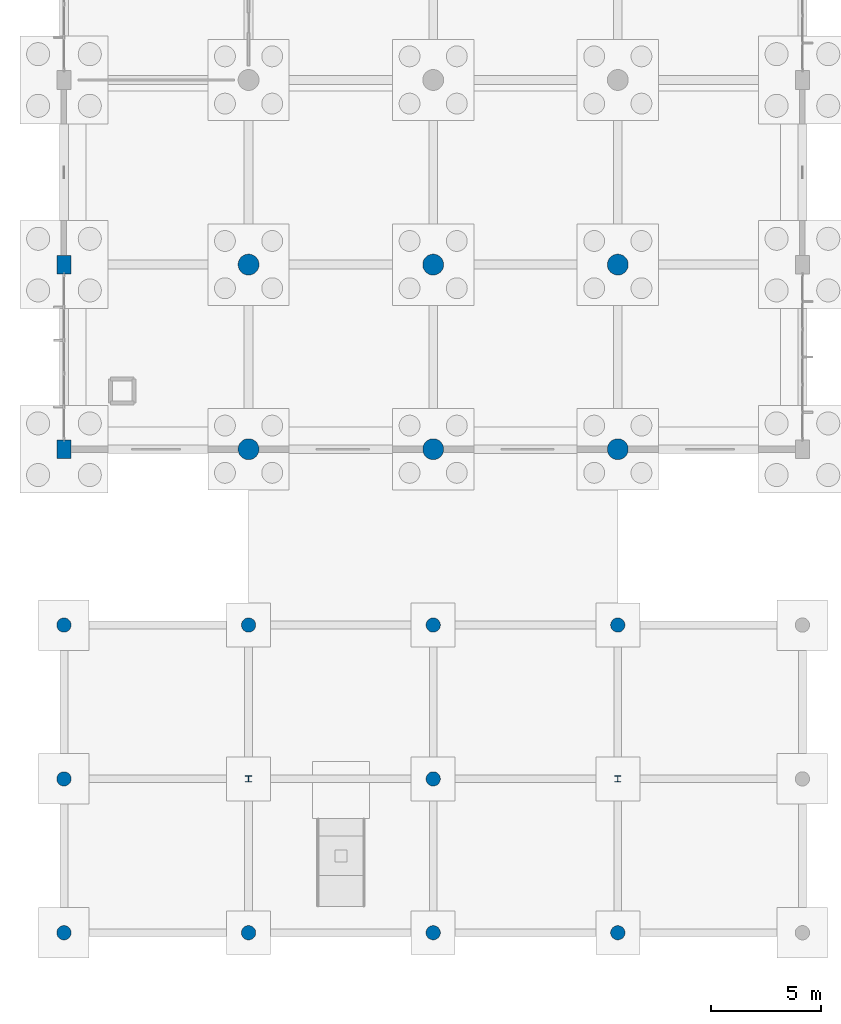
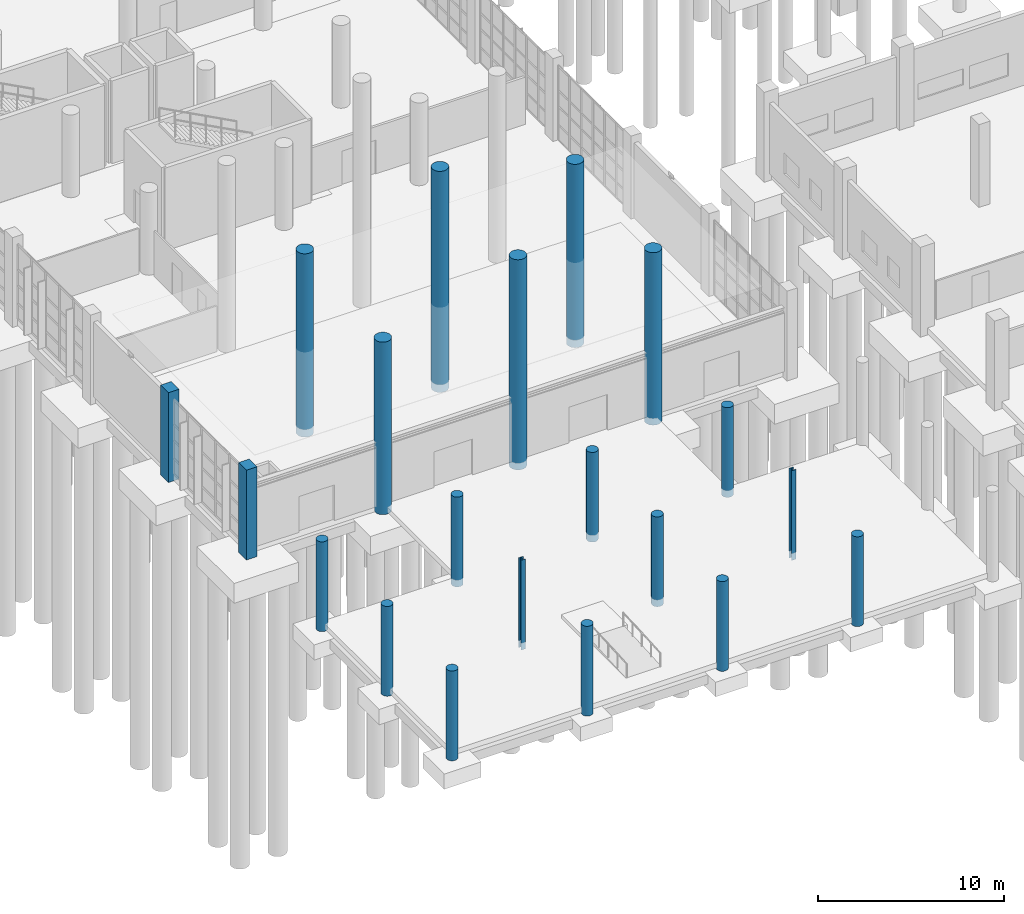
# One storey, part 11 of 83: 20 columns.
"""IFC4 building model written with IfcOpenShell, lengths in metres."""

from ifc_helpers import new_model, si_unit, direction, frame, origin, origin_2d, place, context, subcontext, project, spatial, rectangle, circle, i_section, extrude, material, material_profile, profile_set, type_object, element, save


model = new_model("IFC4")

# Units and contexts
model_context = context("Model", 3, precision=1e-05, world=origin(), true_north=direction((0.0, 1.0)))
body_context = subcontext(model_context, "Body", "Model", "MODEL_VIEW")
ifc_project = project(units=[si_unit("LENGTHUNIT", "METRE"), si_unit("AREAUNIT", "SQUARE_METRE"), si_unit("VOLUMEUNIT", "CUBIC_METRE"), si_unit("PLANEANGLEUNIT", "RADIAN"), si_unit("MASSUNIT", "GRAM", prefix="KILO"), si_unit("THERMODYNAMICTEMPERATUREUNIT", "KELVIN"), si_unit("POWERUNIT", "WATT")], contexts=[model_context])

# Site, building, storey
site_placement = place(None, origin())
site = spatial("IfcSite", under=ifc_project, at=site_placement, CompositionType="ELEMENT")
building_placement = place(site_placement, origin())
building = spatial("IfcBuilding", under=site, at=building_placement, Name="Mavoryth Pier Ferry Terminal", CompositionType="ELEMENT")
storey_placement = place(building_placement, origin())
storey = spatial("IfcBuildingStorey", under=building, at=storey_placement, Name="L00", CompositionType="ELEMENT", Elevation=0.0)

# Columns
ifc_material_1 = material(Name="Concrete C40/50", Category="concrete")
ifc_material_profile_1 = material_profile(ifc_material_1, circle(Radius=0.324951171875, at=origin_2d()), Name="RC D650", Category="concrete")
ifc_profile_set_1 = profile_set([ifc_material_profile_1], Name="Concrete C40/50 - RC D650")
column_type_1 = type_object("IfcColumnType", Name="Col-Pilotis-D650", PredefinedType="COLUMN", material=ifc_profile_set_1)
for number, where, z_axis, x_axis, name in (
    (1, (0.0, 0.0, -0.4599609375), (0.0, 0.0, 1.0), (1.0, 0.0, 0.0), "Column C00-CC01-002"),
    (2, (0.0, 7.0, -0.4599609375), (0.0, 0.0, 1.0), (1.0, 0.0, 0.0), "Column C00-CC01-003"),
    (3, (0.0, 14.0, -0.4599609375), (0.0, 0.0, 1.0), (1.0, 0.0, 0.0), "Column C00-CC01-004"),
    (4, (8.39990234375, 0.0, -0.4599609375), (0.0, 0.0, 1.0), (1.0, 0.0, 0.0), "Column C00-CC01-005"),
    (5, (8.39990234375, 14.0, -0.4599609375), (0.0, 0.0, 1.0), (1.0, 0.0, 0.0), "Column C00-CC01-007"),
    (6, (16.800048828125, 0.0, -0.4599609375), (0.0, 0.0, 1.0), (1.0, 0.0, 0.0), "Column C00-CC01-008"),
    (7, (16.800048828125, 7.0, -0.4599609375), (0.0, 0.0, 1.0), (1.0, 0.0, 0.0), "Column C00-CC01-009"),
    (8, (16.800048828125, 14.0, -0.4599609375), (0.0, 0.0, 1.0), (1.0, 0.0, 0.0), "Column C00-CC01-010"),
    (9, (25.199951171875, 0.0, -0.4599609375), (0.0, 0.0, 1.0), (1.0, 0.0, 0.0), "Column C00-CC01-011"),
    (10, (25.199951171875, 14.0, -0.4599609375), (0.0, 0.0, 1.0), (1.0, 0.0, 0.0), "Column C00-CC01-013"),
):
    element("IfcColumn", number, at=place(storey_placement, frame(where, z_axis=z_axis, x_axis=x_axis)), inside=storey, type_object=column_type_1, Name=name, PredefinedType="COLUMN", context=body_context, shape_type="SweptSolid", body=[
        extrude(circle(Radius=0.324951171875, at=origin_2d()), origin(), (0.0, 0.0, 1.0), 5.89990234375),
    ])
ifc_material_profile_2 = material_profile(ifc_material_1, circle(Radius=0.47509765625, at=origin_2d()), Name="RC D950", Category="concrete")
ifc_profile_set_2 = profile_set([ifc_material_profile_2], Name="Concrete C40/50 - RC D950")
column_type_2 = type_object("IfcColumnType", Name="Col-Pilotis-D950", PredefinedType="COLUMN", material=ifc_profile_set_2)
column_1_placement = place(storey_placement, frame((8.39990234375, 22.0, -0.4599609375), z_axis=(0.0, 0.0, 1.0), x_axis=(1.0, 0.0, 0.0)))
element("IfcColumn", 11, at=column_1_placement, inside=storey, type_object=column_type_2, Name="Column C00-CC05-045", PredefinedType="COLUMN", context=body_context, shape_type="SweptSolid", body=[
    extrude(circle(Radius=0.47509765625, at=origin_2d()), origin(), (0.0, 0.0, 1.0), 11.3388671875),
])
column_2_placement = place(storey_placement, frame((8.39990234375, 30.39990234375, -0.4599609375), z_axis=(0.0, 0.0, 1.0), x_axis=(1.0, 0.0, 0.0)))
element("IfcColumn", 12, at=column_2_placement, inside=storey, type_object=column_type_2, Name="Column C00-CC05-046", PredefinedType="COLUMN", context=body_context, shape_type="SweptSolid", body=[
    extrude(circle(Radius=0.47509765625, at=origin_2d()), origin(), (0.0, 0.0, 1.0), 12.05322265625),
])
column_3_placement = place(storey_placement, frame((16.800048828125, 22.0, -0.4599609375), z_axis=(0.0, 0.0, 1.0), x_axis=(1.0, 0.0, 0.0)))
element("IfcColumn", 13, at=column_3_placement, inside=storey, type_object=column_type_2, Name="Column C00-CC05-057", PredefinedType="COLUMN", context=body_context, shape_type="SweptSolid", body=[
    extrude(circle(Radius=0.47509765625, at=origin_2d()), origin(), (0.0, 0.0, 1.0), 13.81689453125),
])
column_4_placement = place(storey_placement, frame((16.800048828125, 30.39990234375, -0.4599609375), z_axis=(0.0, 0.0, 1.0), x_axis=(1.0, 0.0, 0.0)))
element("IfcColumn", 14, at=column_4_placement, inside=storey, type_object=column_type_2, Name="Column C00-CC05-058", PredefinedType="COLUMN", context=body_context, shape_type="SweptSolid", body=[
    extrude(circle(Radius=0.47509765625, at=origin_2d()), origin(), (0.0, 0.0, 1.0), 14.53125),
])
column_5_placement = place(storey_placement, frame((25.199951171875, 22.0, -0.4599609375), z_axis=(0.0, 0.0, 1.0), x_axis=(1.0, 0.0, 0.0)))
element("IfcColumn", 15, at=column_5_placement, inside=storey, type_object=column_type_2, Name="Column C00-CC05-069", PredefinedType="COLUMN", context=body_context, shape_type="SweptSolid", body=[
    extrude(circle(Radius=0.47509765625, at=origin_2d()), origin(), (0.0, 0.0, 1.0), 11.3388671875),
])
column_6_placement = place(storey_placement, frame((25.199951171875, 30.39990234375, -0.4599609375), z_axis=(0.0, 0.0, 1.0), x_axis=(1.0, 0.0, 0.0)))
element("IfcColumn", 16, at=column_6_placement, inside=storey, type_object=column_type_2, Name="Column C00-CC05-070", PredefinedType="COLUMN", context=body_context, shape_type="SweptSolid", body=[
    extrude(circle(Radius=0.47509765625, at=origin_2d()), origin(), (0.0, 0.0, 1.0), 12.05322265625),
])
ifc_material_profile_3 = material_profile(ifc_material_1, rectangle(XDim=0.64990234375, YDim=0.85009765625, at=origin_2d()), Name="RC 850x650", Category="concrete")
ifc_profile_set_3 = profile_set([ifc_material_profile_3], Name="Concrete C40/50 - RC 850x650")
column_type_3 = type_object("IfcColumnType", Name="Col-RC-850x650", PredefinedType="COLUMN", material=ifc_profile_set_3)
for number, where, z_axis, x_axis, name in (
    (17, (0.0, 22.0, -0.4599609375), (0.0, 0.0, 1.0), (1.0, 0.0, 0.0), "Column C00-CC12-033"),
    (18, (0.0, 30.39990234375, -0.4599609375), (0.0, 0.0, 1.0), (1.0, 0.0, 0.0), "Column C00-CC12-034"),
):
    element("IfcColumn", number, at=place(storey_placement, frame(where, z_axis=z_axis, x_axis=x_axis)), inside=storey, type_object=column_type_3, Name=name, PredefinedType="COLUMN", context=body_context, shape_type="SweptSolid", body=[
        extrude(rectangle(XDim=0.64990234375, YDim=0.85009765625, at=origin_2d()), origin(), (0.0, 0.0, 1.0), 5.89990234375),
    ])
ifc_material_2 = material(Name="Steel S355J2", Category="steel")
ifc_material_profile_4 = material_profile(ifc_material_2, i_section(OverallWidth=0.280029296875, OverallDepth=0.280029296875, WebThickness=0.010498046875, FlangeThickness=0.01806640625, FilletRadius=0.02392578125, at=origin_2d()), Name="HEB 280", Category="steel")
ifc_profile_set_4 = profile_set([ifc_material_profile_4], Name="Steel S355J2 - HEB 280")
column_type_4 = type_object("IfcColumnType", Name="Col-SteelBulkhead-HEB280", PredefinedType="COLUMN", material=ifc_profile_set_4)
for number, where, z_axis, x_axis, name in (
    (19, (8.39990234375, 7.0, -0.4599609375), (0.0, 0.0, 1.0), (1.0, 0.0, 0.0), "Column C00-SC04-006"),
    (20, (25.199951171875, 7.0, -0.4599609375), (0.0, 0.0, 1.0), (1.0, 0.0, 0.0), "Column C00-SC04-012"),
):
    element("IfcColumn", number, at=place(storey_placement, frame(where, z_axis=z_axis, x_axis=x_axis)), inside=storey, type_object=column_type_4, Name=name, PredefinedType="COLUMN", context=body_context, shape_type="SweptSolid", body=[
        extrude(i_section(OverallWidth=0.280029296875, OverallDepth=0.280029296875, WebThickness=0.010498046875, FlangeThickness=0.01806640625, FilletRadius=0.02392578125, at=origin_2d()), origin(), (0.0, 0.0, 1.0), 5.89990234375),
    ])

save(model, "model.ifc")
